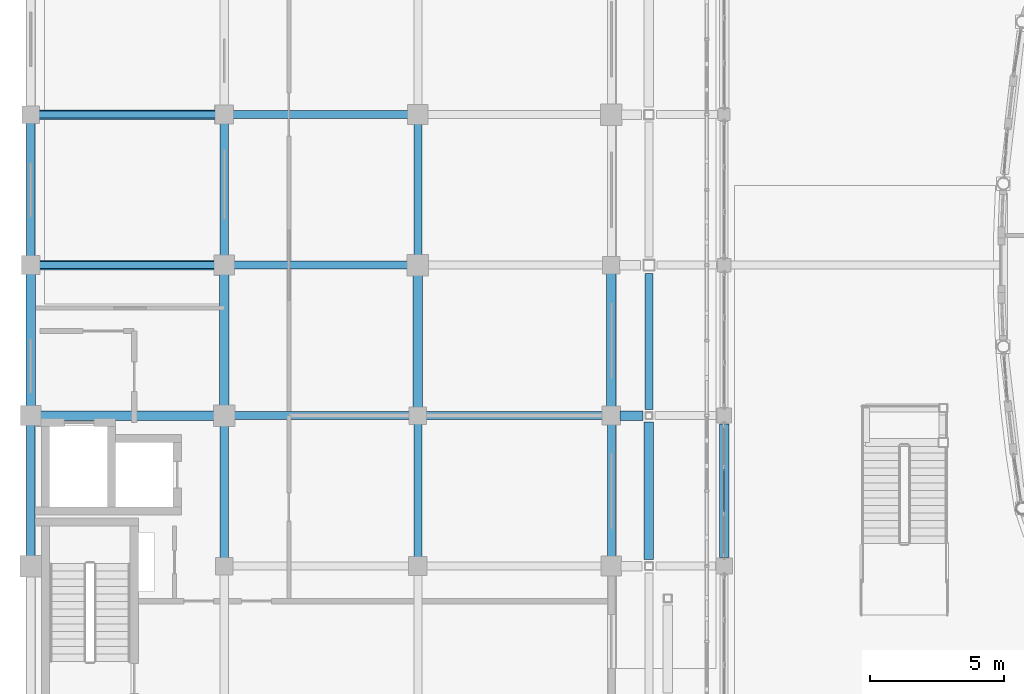
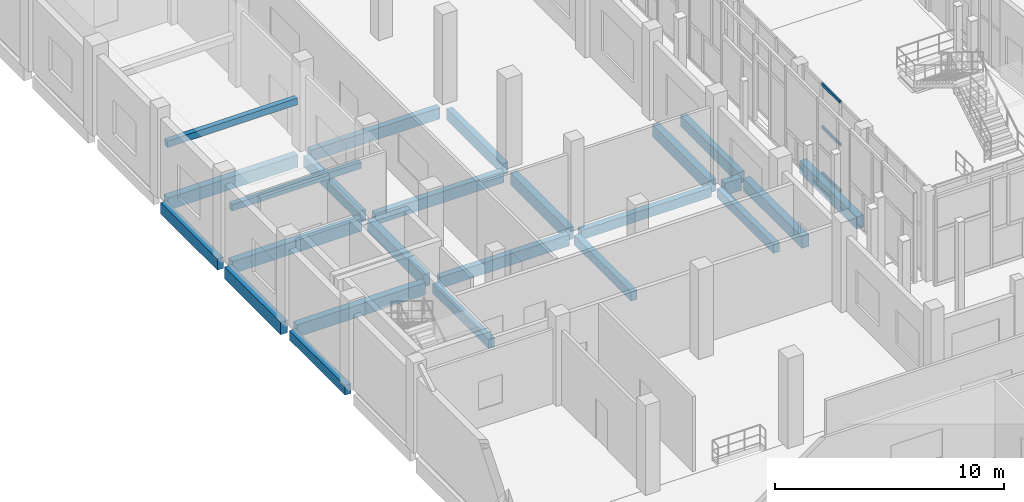
# One storey, part 32 of 91: 24 beams, 3 members, 1 element without a shape of its own.
"""IFC4 building model written with IfcOpenShell, lengths in metres."""

import ifcopenshell
import ifcopenshell.guid

model = None  # the IFC model being written
_history = None  # IfcOwnerHistory: only IFC2X3 demands one
_inside = {}  # id of a spatial element -> (the spatial element, [elements in it])
_under = {}  # id of a project, library or spatial element -> (it, [spatial elements below it])
_declared = {}  # id of a project -> (the project, [libraries it declares])
_typed = {}  # id of a type object -> (the type object, [elements of that type])
_made_of = {}  # id of a material, layer set ... -> (it, [elements and type objects made of it])


def new_model(schema):
    """Start an empty IFC model of exactly this schema.

    Asked for "IFC4X3", IfcOpenShell would pick the latest addendum, in which some entities
    have other attributes; the version numbers below select the first issue.
    IFC2X3 requires an IfcOwnerHistory on every rooted entity: one is made here for all.
    """
    global model, _history
    if schema == "IFC4X3":
        model = ifcopenshell.file(schema_version=(4, 3, 0, 0))
    else:
        model = ifcopenshell.file(schema=schema)
    _inside.clear()
    _under.clear()
    _declared.clear()
    _typed.clear()
    _made_of.clear()
    _history = None
    if model.schema == "IFC2X3":
        org = make("IfcOrganization", Name="unknown")
        user = make(
            "IfcPersonAndOrganization",
            ThePerson=make("IfcPerson", FamilyName="unknown"),
            TheOrganization=org,
        )
        app = make(
            "IfcApplication",
            ApplicationDeveloper=org,
            Version="unknown",
            ApplicationFullName="unknown",
            ApplicationIdentifier="unknown",
        )
        _history = make(
            "IfcOwnerHistory",
            OwningUser=user,
            OwningApplication=app,
            ChangeAction="ADDED",
            CreationDate=0,
        )
    return model


def make(cls, **values):
    """One entity of the class cls with the attributes given. An attribute that is None is left unset."""
    return model.create_entity(
        cls, **{name: value for name, value in values.items() if value is not None}
    )


def rooted(cls, **values):
    """An entity with a GlobalId (a new one), such as an element, a storey or a relation."""
    return make(cls, GlobalId=ifcopenshell.guid.new(), OwnerHistory=_history, **values)


def si_unit(unit_type, name, prefix=None):
    """IfcSIUnit, for example si_unit("LENGTHUNIT", "METRE", prefix="MILLI")."""
    return make("IfcSIUnit", UnitType=unit_type, Prefix=prefix, Name=name)


def assignment(units):
    """IfcUnitAssignment: the units of a project."""
    return None if units is None else make("IfcUnitAssignment", Units=units)


def point(xyz):
    """IfcCartesianPoint."""
    return None if xyz is None else make("IfcCartesianPoint", Coordinates=xyz)


def direction(xyz):
    """IfcDirection."""
    return None if xyz is None else make("IfcDirection", DirectionRatios=xyz)


def frame(location, z_axis=None, x_axis=None):
    """IfcAxis2Placement3D, a coordinate frame: its origin and axes. An axis left out is left unset."""
    return make(
        "IfcAxis2Placement3D",
        Location=point(location),
        Axis=direction(z_axis),
        RefDirection=direction(x_axis),
    )


def frame_2d(location, x_axis=None):
    """IfcAxis2Placement2D, a coordinate frame in the plane: its origin and x axis."""
    return make(
        "IfcAxis2Placement2D", Location=point(location), RefDirection=direction(x_axis)
    )


def origin():
    """The frame at (0, 0, 0) with its axes left unset."""
    return frame((0.0, 0.0, 0.0))


def origin_2d():
    """The frame at (0, 0) in the plane with its x axis left unset."""
    return frame_2d((0.0, 0.0))


def place(relative_to, where):
    """IfcLocalPlacement: puts the frame where relative to a parent placement (None: the world)."""
    return make(
        "IfcLocalPlacement", PlacementRelTo=relative_to, RelativePlacement=where
    )


def context(
    kind, dimensions, precision=None, world=None, true_north=None, identifier=None
):
    """IfcGeometricRepresentationContext, for example the 3D "Model" context."""
    return make(
        "IfcGeometricRepresentationContext",
        ContextIdentifier=identifier,
        ContextType=kind,
        CoordinateSpaceDimension=dimensions,
        Precision=precision,
        WorldCoordinateSystem=world,
        TrueNorth=true_north,
    )


def subcontext(parent, identifier, kind, view, scale=None):
    """IfcGeometricRepresentationSubContext, for example "Body" below "Model"."""
    return make(
        "IfcGeometricRepresentationSubContext",
        ContextIdentifier=identifier,
        ContextType=kind,
        ParentContext=parent,
        TargetScale=scale,
        TargetView=view,
    )


def project(units=None, contexts=None):
    """IfcProject with its units and contexts."""
    return rooted(
        "IfcProject",
        Name="project",
        RepresentationContexts=contexts,
        UnitsInContext=assignment(units),
    )


def spatial(cls, under=None, at=None, **own):
    """A site, building, storey or space (cls), placed at a placement, below another one or the project."""
    s = rooted(cls, ObjectPlacement=at, **own)
    if under is not None:
        _under.setdefault(under.id(), (under, []))[1].append(s)
    return s


def profile(cls, at=None, kind="AREA", **sizes):
    """A parametric profile (cls). Its sizes go by their IFC names, for example OverallWidth=200.0."""
    return make(cls, ProfileType=kind, Position=at, **sizes)


def rectangle(**sizes):
    """IfcRectangleProfileDef."""
    return profile("IfcRectangleProfileDef", **sizes)


def hollow_rectangle(**sizes):
    """IfcRectangleHollowProfileDef."""
    return profile("IfcRectangleHollowProfileDef", **sizes)


def extrude(swept, where, along, depth):
    """IfcExtrudedAreaSolid: the profile swept, set in the frame where, extruded along a direction by depth."""
    return make(
        "IfcExtrudedAreaSolid",
        SweptArea=swept,
        Position=where,
        ExtrudedDirection=direction(along),
        Depth=depth,
    )


def shape(context_of_items, identifier, shape_type, items):
    """IfcShapeRepresentation: the items that make up one representation, for example the "Body"."""
    return make(
        "IfcShapeRepresentation",
        ContextOfItems=context_of_items,
        RepresentationIdentifier=identifier,
        RepresentationType=shape_type,
        Items=items,
    )


def material(Name=None, Category=None):
    """IfcMaterial."""
    return make("IfcMaterial", Name=Name, Category=Category)


def layer(
    of_material, thickness, ventilated=None, Name=None, Category=None, Priority=None
):
    """IfcMaterialLayer: one layer of a wall or slab, of a material (None: an air gap)."""
    return make(
        "IfcMaterialLayer",
        Material=of_material,
        LayerThickness=thickness,
        IsVentilated=ventilated,
        Name=Name,
        Category=Category,
        Priority=Priority,
    )


def layer_set(layers, Name=None):
    """IfcMaterialLayerSet."""
    return make("IfcMaterialLayerSet", MaterialLayers=layers, LayerSetName=Name)


def material_profile(
    of_material, cross_section, Name=None, Category=None, Priority=None
):
    """IfcMaterialProfile: a cross section and its material."""
    return make(
        "IfcMaterialProfile",
        Name=Name,
        Material=of_material,
        Profile=cross_section,
        Priority=Priority,
        Category=Category,
    )


def profile_set(profiles, Name=None, composite=None):
    """IfcMaterialProfileSet."""
    return make(
        "IfcMaterialProfileSet",
        Name=Name,
        MaterialProfiles=profiles,
        CompositeProfile=composite,
    )


def made_of(thing, what):
    """Note that an element or type object is made of a material, layer set ...; save() writes the relation."""
    if what is not None:
        _made_of.setdefault(what.id(), (what, []))[1].append(thing)
    return thing


def type_object(cls, material=None, **own):
    """A type object (cls), such as IfcWallType, which elements share."""
    return made_of(rooted(cls, **own), material)


def element(
    cls,
    number,
    at=None,
    inside=None,
    cuts=None,
    type_object=None,
    material=None,
    context=None,
    identifier="Body",
    shape_type=None,
    held_by="IfcProductDefinitionShape",
    body=None,
    shapes=None,
    **own,
):
    """One element of the class cls, such as IfcWall. Its Tag is "e" and its number.

    at: its placement. inside: the storey or other place that contains it. cuts: it is an
    opening in that element (IfcRelVoidsElement). A single representation is given by context,
    identifier, shape_type and body (its items); several are given by shapes. held_by: the class
    of the entity that holds the representations. save() writes the other relations.
    """
    e = rooted(cls, Tag="e%d" % number, ObjectPlacement=at, **own)
    if body is not None:
        shapes = [shape(context, identifier, shape_type, body)]
    if shapes is not None:
        e.Representation = make(held_by, Representations=shapes)
    if inside is not None:
        _inside.setdefault(inside.id(), (inside, []))[1].append(e)
    if cuts is not None:
        rooted(
            "IfcRelVoidsElement", RelatingBuildingElement=cuts, RelatedOpeningElement=e
        )
    if type_object is not None:
        _typed.setdefault(type_object.id(), (type_object, []))[1].append(e)
    return made_of(e, material)


def aggregate(whole, parts):
    """IfcRelAggregates: a whole, such as a stair, and the parts it consists of."""
    return rooted("IfcRelAggregates", RelatingObject=whole, RelatedObjects=parts)


def save(model, path):
    """Write the relations noted so far, then the file.

    IfcRelAggregates (storeys below a building ...), IfcRelContainedInSpatialStructure (elements
    in a storey), IfcRelDefinesByType, IfcRelAssociatesMaterial and IfcRelDeclares: one each for
    every whole, place, type object, material and project.
    """
    for whole, parts in _under.values():
        aggregate(whole, parts)
    for where, things in _inside.values():
        rooted(
            "IfcRelContainedInSpatialStructure",
            RelatedElements=things,
            RelatingStructure=where,
        )
    for kind, things in _typed.values():
        rooted("IfcRelDefinesByType", RelatedObjects=things, RelatingType=kind)
    for what, things in _made_of.values():
        rooted("IfcRelAssociatesMaterial", RelatedObjects=things, RelatingMaterial=what)
    for by, libraries in _declared.values():
        rooted("IfcRelDeclares", RelatingContext=by, RelatedDefinitions=libraries)
    model.write(path)


model = new_model("IFC4")

# Units and contexts
model_context = context("Model", 3, precision=1e-05, world=origin(), true_north=direction((0.0, 1.0)))
body_context = subcontext(model_context, "Body", "Model", "MODEL_VIEW")
ifc_project = project(units=[si_unit("LENGTHUNIT", "METRE"), si_unit("AREAUNIT", "SQUARE_METRE"), si_unit("VOLUMEUNIT", "CUBIC_METRE"), si_unit("PLANEANGLEUNIT", "RADIAN"), si_unit("MASSUNIT", "GRAM", prefix="KILO")], contexts=[model_context])

# Site, building, storey
site_placement = place(None, origin())
site = spatial("IfcSite", under=ifc_project, at=site_placement, CompositionType="ELEMENT")
building_placement = place(site_placement, origin())
building = spatial("IfcBuilding", under=site, at=building_placement, Name="Vinh Khe Railworks Police Headquarters", CompositionType="ELEMENT")
storey_placement = place(building_placement, origin())
storey = spatial("IfcBuildingStorey", under=building, at=storey_placement, Name="L00", CompositionType="ELEMENT", Elevation=0.0)

# Beams
ifc_material_1 = material(Name="Concrete C35/45 (B35)", Category="concrete")
ifc_material_profile_1 = material_profile(ifc_material_1, rectangle(XDim=0.300048828125, YDim=0.5, at=origin_2d()), Name="RC 300x500")
ifc_profile_set_1 = profile_set([ifc_material_profile_1], Name="Concrete C35/45 (B35)")
beam_type_1 = type_object("IfcBeamType", Name="RC Girder RC 300x500", PredefinedType="BEAM", material=ifc_profile_set_1)
beam_1_placement = place(storey_placement, frame((15.304931640625, 36.39990234375, -0.530029296875), z_axis=(1.0, 0.0, 0.0), x_axis=(0.0, 1.0, 0.0)))
element("IfcBeam", 1, at=beam_1_placement, inside=storey, type_object=beam_type_1, Name="Girder BM-L00-EW-RB-10-0051", PredefinedType="BEAM", context=body_context, shape_type="SweptSolid", body=[
    extrude(rectangle(XDim=0.300048828125, YDim=0.5, at=origin_2d()), origin(), (0.0, 0.0, 1.0), 6.565185546875),
])
beam_2_placement = place(storey_placement, frame((0.60009765625, 31.179931640625, -0.530029296875), z_axis=(0.0, 1.0, 0.0), x_axis=(-1.0, 0.0, 0.0)))
element("IfcBeam", 2, at=beam_2_placement, inside=storey, type_object=beam_type_1, Name="Girder BM-L00-NS-RB-10-0195", PredefinedType="BEAM", context=body_context, shape_type="SweptSolid", body=[
    extrude(rectangle(XDim=0.300048828125, YDim=0.5, at=origin_2d()), origin(), (0.0, 0.0, 1.0), 4.864990234375),
])
beam_3_placement = place(storey_placement, frame((7.800048828125, 31.10498046875, -0.530029296875), z_axis=(0.0, 1.0, 0.0), x_axis=(-1.0, 0.0, 0.0)))
element("IfcBeam", 3, at=beam_3_placement, inside=storey, type_object=beam_type_1, Name="Girder BM-L00-NS-RB-10-0213", PredefinedType="BEAM", context=body_context, shape_type="SweptSolid", body=[
    extrude(rectangle(XDim=0.300048828125, YDim=0.5, at=origin_2d()), origin(), (0.0, 0.0, 1.0), 4.9150390625),
])
beam_4_placement = place(storey_placement, frame((15.0, 31.1298828125, -0.530029296875), z_axis=(0.0, 1.0, 0.0), x_axis=(-1.0, 0.0, 0.0)))
element("IfcBeam", 4, at=beam_4_placement, inside=storey, type_object=beam_type_1, Name="Girder BM-L00-NS-RB-10-0231", PredefinedType="BEAM", context=body_context, shape_type="SweptSolid", body=[
    extrude(rectangle(XDim=0.300048828125, YDim=0.5, at=origin_2d()), origin(), (0.0, 0.0, 1.0), 4.965087890625),
])
beam_5_placement = place(storey_placement, frame((22.199951171875, 31.155029296875, -0.530029296875), z_axis=(0.0, 1.0, 0.0), x_axis=(-1.0, 0.0, 0.0)))
element("IfcBeam", 5, at=beam_5_placement, inside=storey, type_object=beam_type_1, Name="Girder BM-L00-NS-RB-10-0249", PredefinedType="BEAM", context=body_context, shape_type="SweptSolid", body=[
    extrude(rectangle(XDim=0.300048828125, YDim=0.5, at=origin_2d()), origin(), (0.0, 0.0, 1.0), 4.9150390625),
])
ifc_material_profile_2 = material_profile(ifc_material_1, rectangle(XDim=0.300048828125, YDim=0.60009765625, at=origin_2d()), Name="RC 300x600")
ifc_profile_set_2 = profile_set([ifc_material_profile_2], Name="Concrete C35/45 (B35)")
beam_type_2 = type_object("IfcBeamType", Name="RC Girder RC 300x600", PredefinedType="BEAM", material=ifc_profile_set_2)
beam_6_placement = place(storey_placement, frame((8.179931640625, 36.39990234375, -0.580078125), z_axis=(1.0, 0.0, 0.0), x_axis=(0.0, 1.0, 0.0)))
element("IfcBeam", 6, at=beam_6_placement, inside=storey, type_object=beam_type_2, Name="Girder BM-L00-EW-RB-09-0050", PredefinedType="BEAM", context=body_context, shape_type="SweptSolid", body=[
    extrude(rectangle(XDim=0.300048828125, YDim=0.60009765625, at=origin_2d()), origin(), (0.0, 0.0, 1.0), 6.51513671875),
])
beam_7_placement = place(storey_placement, frame((8.155029296875, 42.0, -0.580078125), z_axis=(1.0, 0.0, 0.0), x_axis=(0.0, 1.0, 0.0)))
element("IfcBeam", 7, at=beam_7_placement, inside=storey, type_object=beam_type_2, Name="Girder BM-L00-EW-RB-09-0056", PredefinedType="BEAM", context=body_context, shape_type="SweptSolid", body=[
    extrude(rectangle(XDim=0.300048828125, YDim=0.60009765625, at=origin_2d()), origin(), (0.0, 0.0, 1.0), 6.465087890625),
])
beam_8_placement = place(storey_placement, frame((8.1298828125, 47.60009765625, -0.580078125), z_axis=(1.0, 0.0, 0.0), x_axis=(0.0, 1.0, 0.0)))
element("IfcBeam", 8, at=beam_8_placement, inside=storey, type_object=beam_type_2, Name="Girder BM-L00-EW-RB-09-0062", PredefinedType="BEAM", context=body_context, shape_type="SweptSolid", body=[
    extrude(rectangle(XDim=0.300048828125, YDim=0.60009765625, at=origin_2d()), origin(), (0.0, 0.0, 1.0), 6.51513671875),
])
beam_9_placement = place(storey_placement, frame((0.60009765625, 42.330078125, -0.580078125), z_axis=(0.0, 1.0, 0.0), x_axis=(-1.0, 0.0, 0.0)))
element("IfcBeam", 9, at=beam_9_placement, inside=storey, type_object=beam_type_2, Name="Girder BM-L00-NS-RB-09-0197", PredefinedType="BEAM", context=body_context, shape_type="SweptSolid", body=[
    extrude(rectangle(XDim=0.300048828125, YDim=0.60009765625, at=origin_2d()), origin(), (0.0, 0.0, 1.0), 4.96484375),
])
beam_10_placement = place(storey_placement, frame((7.800048828125, 42.35498046875, -0.580078125), z_axis=(0.0, 1.0, 0.0), x_axis=(-1.0, 0.0, 0.0)))
element("IfcBeam", 10, at=beam_10_placement, inside=storey, type_object=beam_type_2, Name="Girder BM-L00-NS-RB-09-0215", PredefinedType="BEAM", context=body_context, shape_type="SweptSolid", body=[
    extrude(rectangle(XDim=0.300048828125, YDim=0.60009765625, at=origin_2d()), origin(), (0.0, 0.0, 1.0), 4.9150390625),
])
beam_11_placement = place(storey_placement, frame((15.0, 42.3798828125, -0.580078125), z_axis=(0.0, 1.0, 0.0), x_axis=(-1.0, 0.0, 0.0)))
element("IfcBeam", 11, at=beam_11_placement, inside=storey, type_object=beam_type_2, Name="Girder BM-L00-NS-RB-09-0233", PredefinedType="BEAM", context=body_context, shape_type="SweptSolid", body=[
    extrude(rectangle(XDim=0.300048828125, YDim=0.60009765625, at=origin_2d()), origin(), (0.0, 0.0, 1.0), 4.865234375),
])
beam_12_placement = place(storey_placement, frame((23.60009765625, 36.6298828125, -0.580078125), z_axis=(0.0, 1.0, 0.0), x_axis=(-1.0, 0.0, 0.0)))
element("IfcBeam", 12, at=beam_12_placement, inside=storey, type_object=beam_type_2, Name="Girder BM-L00-NS-RB-09-0266", PredefinedType="BEAM", context=body_context, shape_type="SweptSolid", body=[
    extrude(rectangle(XDim=0.300048828125, YDim=0.60009765625, at=origin_2d()), origin(), (0.0, 0.0, 1.0), 5.065185546875),
])
ifc_material_profile_3 = material_profile(ifc_material_1, rectangle(XDim=0.35009765625, YDim=0.64990234375, at=origin_2d()), Name="RC 350x650")
ifc_profile_set_3 = profile_set([ifc_material_profile_3], Name="Concrete C35/45 (B35)")
beam_type_3 = type_object("IfcBeamType", Name="RC Girder RC 350x650", PredefinedType="BEAM", material=ifc_profile_set_3)
beam_13_placement = place(storey_placement, frame((0.955078125, 36.39990234375, -0.60498046875), z_axis=(1.0, 0.0, 0.0), x_axis=(0.0, 1.0, 0.0)))
element("IfcBeam", 13, at=beam_13_placement, inside=storey, type_object=beam_type_3, Name="Girder BM-L00-EW-RB-08-0049", PredefinedType="BEAM", context=body_context, shape_type="SweptSolid", body=[
    extrude(rectangle(XDim=0.35009765625, YDim=0.64990234375, at=origin_2d()), origin(), (0.0, 0.0, 1.0), 6.46484375),
])
beam_14_placement = place(storey_placement, frame((22.530029296875, 36.39990234375, -0.60498046875), z_axis=(1.0, 0.0, 0.0), x_axis=(0.0, 1.0, 0.0)))
element("IfcBeam", 14, at=beam_14_placement, inside=storey, type_object=beam_type_3, Name="Girder BM-L00-EW-RB-08-0052", PredefinedType="BEAM", context=body_context, shape_type="SweptSolid", body=[
    extrude(rectangle(XDim=0.35009765625, YDim=0.64990234375, at=origin_2d()), origin(), (0.0, 0.0, 1.0), 0.840087890625),
])
beam_15_placement = place(storey_placement, frame((0.929931640625, 42.0, -0.60498046875), z_axis=(1.0, 0.0, 0.0), x_axis=(0.0, 1.0, 0.0)))
element("IfcBeam", 15, at=beam_15_placement, inside=storey, type_object=beam_type_3, Name="Girder BM-L00-EW-RB-08-0055", PredefinedType="BEAM", context=body_context, shape_type="SweptSolid", body=[
    extrude(rectangle(XDim=0.35009765625, YDim=0.64990234375, at=origin_2d()), origin(), (0.0, 0.0, 1.0), 6.51513671875),
])
beam_16_placement = place(storey_placement, frame((0.905029296875, 47.60009765625, -0.60498046875), z_axis=(1.0, 0.0, 0.0), x_axis=(0.0, 1.0, 0.0)))
element("IfcBeam", 16, at=beam_16_placement, inside=storey, type_object=beam_type_3, Name="Girder BM-L00-EW-RB-08-0061", PredefinedType="BEAM", context=body_context, shape_type="SweptSolid", body=[
    extrude(rectangle(XDim=0.35009765625, YDim=0.64990234375, at=origin_2d()), origin(), (0.0, 0.0, 1.0), 6.56494140625),
])
beam_17_placement = place(storey_placement, frame((0.60009765625, 36.7548828125, -0.60498046875), z_axis=(0.0, 1.0, 0.0), x_axis=(-1.0, 0.0, 0.0)))
element("IfcBeam", 17, at=beam_17_placement, inside=storey, type_object=beam_type_3, Name="Girder BM-L00-NS-RB-08-0196", PredefinedType="BEAM", context=body_context, shape_type="SweptSolid", body=[
    extrude(rectangle(XDim=0.35009765625, YDim=0.64990234375, at=origin_2d()), origin(), (0.0, 0.0, 1.0), 4.9150390625),
])
beam_18_placement = place(storey_placement, frame((7.800048828125, 36.780029296875, -0.60498046875), z_axis=(0.0, 1.0, 0.0), x_axis=(-1.0, 0.0, 0.0)))
element("IfcBeam", 18, at=beam_18_placement, inside=storey, type_object=beam_type_3, Name="Girder BM-L00-NS-RB-08-0214", PredefinedType="BEAM", context=body_context, shape_type="SweptSolid", body=[
    extrude(rectangle(XDim=0.35009765625, YDim=0.64990234375, at=origin_2d()), origin(), (0.0, 0.0, 1.0), 4.864990234375),
])
beam_19_placement = place(storey_placement, frame((15.0, 36.705078125, -0.60498046875), z_axis=(0.0, 1.0, 0.0), x_axis=(-1.0, 0.0, 0.0)))
element("IfcBeam", 19, at=beam_19_placement, inside=storey, type_object=beam_type_3, Name="Girder BM-L00-NS-RB-08-0232", PredefinedType="BEAM", context=body_context, shape_type="SweptSolid", body=[
    extrude(rectangle(XDim=0.35009765625, YDim=0.64990234375, at=origin_2d()), origin(), (0.0, 0.0, 1.0), 4.9150390625),
])
beam_20_placement = place(storey_placement, frame((22.199951171875, 36.72998046875, -0.60498046875), z_axis=(0.0, 1.0, 0.0), x_axis=(-1.0, 0.0, 0.0)))
element("IfcBeam", 20, at=beam_20_placement, inside=storey, type_object=beam_type_3, Name="Girder BM-L00-NS-RB-08-0250", PredefinedType="BEAM", context=body_context, shape_type="SweptSolid", body=[
    extrude(rectangle(XDim=0.35009765625, YDim=0.64990234375, at=origin_2d()), origin(), (0.0, 0.0, 1.0), 4.965087890625),
])
beam_21_placement = place(storey_placement, frame((23.60009765625, 31.054931640625, -0.60498046875), z_axis=(0.0, 1.0, 0.0), x_axis=(-1.0, 0.0, 0.0)))
element("IfcBeam", 21, at=beam_21_placement, inside=storey, type_object=beam_type_3, Name="Girder BM-L00-NS-RB-08-0265", PredefinedType="BEAM", context=body_context, shape_type="SweptSolid", body=[
    extrude(rectangle(XDim=0.35009765625, YDim=0.64990234375, at=origin_2d()), origin(), (0.0, 0.0, 1.0), 5.114990234375),
])
beam_22_placement = place(storey_placement, frame((26.39990234375, 31.1298828125, -0.60498046875), z_axis=(0.0, 1.0, 0.0), x_axis=(-1.0, 0.0, 0.0)))
element("IfcBeam", 22, at=beam_22_placement, inside=storey, type_object=beam_type_3, Name="Girder BM-L00-NS-RB-08-0277", PredefinedType="BEAM", context=body_context, shape_type="SweptSolid", body=[
    extrude(rectangle(XDim=0.35009765625, YDim=0.64990234375, at=origin_2d()), origin(), (0.0, 0.0, 1.0), 4.965087890625),
])
ifc_material_profile_4 = material_profile(ifc_material_1, rectangle(XDim=0.25, YDim=0.35009765625, at=origin_2d()), Name="RC 250x350")
ifc_profile_set_4 = profile_set([ifc_material_profile_4], Name="Concrete C35/45 (B35)")
beam_type_4 = type_object("IfcBeamType", Name="RC Lintel Beam RC 250x350", PredefinedType="LINTEL", material=ifc_profile_set_4)
beam_23_placement = place(storey_placement, frame((0.929931640625, 42.0, 2.550048828125), z_axis=(1.0, 0.0, 0.0), x_axis=(0.0, 1.0, 0.0)))
element("IfcBeam", 23, at=beam_23_placement, inside=storey, type_object=beam_type_4, Name="RC Portal Lintel 01", PredefinedType="LINTEL", context=body_context, shape_type="SweptSolid", body=[
    extrude(rectangle(XDim=0.25, YDim=0.35009765625, at=origin_2d()), origin(), (0.0, 0.0, 1.0), 6.51513671875),
])
beam_24_placement = place(storey_placement, frame((0.905029296875, 47.60009765625, 2.550048828125), z_axis=(1.0, 0.0, 0.0), x_axis=(0.0, 1.0, 0.0)))
element("IfcBeam", 24, at=beam_24_placement, inside=storey, type_object=beam_type_4, Name="RC Portal Lintel 02", PredefinedType="LINTEL", context=body_context, shape_type="SweptSolid", body=[
    extrude(rectangle(XDim=0.25, YDim=0.35009765625, at=origin_2d()), origin(), (0.0, 0.0, 1.0), 6.56494140625),
])

# Curtain wall, members
ifc_material_2 = material(Name="Anodised aluminium and low-iron glass", Category="aluminium")
ifc_layer = layer(ifc_material_2, 0.179931640625)
ifc_layer_set = layer_set([ifc_layer], Name="Anodised aluminium and low-iron glass")
curtain_wall_type = type_object("IfcCurtainWallType", Name="CW-CUBE-UNIT", PredefinedType="USERDEFINED", material=ifc_layer_set)
curtain_wall_placement = place(storey_placement, origin())
curtain_wall = element("IfcCurtainWall", 25, at=curtain_wall_placement, inside=storey, type_object=curtain_wall_type, Name="Entrance Hall Curtain Wall L00 W-2", ObjectType="UNITISED GLAZING", PredefinedType="USERDEFINED")
ifc_material_3 = material(Name="Anodised aluminium 6063-T6", Category="aluminium")
ifc_material_profile_5 = material_profile(ifc_material_3, hollow_rectangle(XDim=0.070068359375, YDim=0.14990234375, WallThickness=0.0048828125, at=origin_2d()), Name="CW-T 70x150x5")
ifc_profile_set_5 = profile_set([ifc_material_profile_5], Name="Anodised aluminium 6063-T6")
member_type = type_object("IfcMemberType", Name="TRAN-CWT-03", PredefinedType="USERDEFINED", material=ifc_profile_set_5)
member_1_placement = place(storey_placement, frame((26.39990234375, 32.816650390625, 0.034912109375), z_axis=(0.0, 1.0, 0.0), x_axis=(-1.0, 0.0, 0.0)))
member_1 = element("IfcMember", 26, at=member_1_placement, type_object=member_type, Name="CW-01 transom 2.1", ObjectType="TRANSOM", PredefinedType="USERDEFINED", context=body_context, shape_type="SweptSolid", body=[
    extrude(hollow_rectangle(XDim=0.070068359375, YDim=0.14990234375, WallThickness=0.0048828125, at=origin_2d()), origin(), (0.0, 0.0, 1.0), 1.591796875),
])
member_2_placement = place(storey_placement, frame((26.39990234375, 32.816650390625, 2.49609375), z_axis=(0.0, 1.0, 0.0), x_axis=(-1.0, 0.0, 0.0)))
member_2 = element("IfcMember", 27, at=member_2_placement, type_object=member_type, Name="CW-01 transom 2.2", ObjectType="TRANSOM", PredefinedType="USERDEFINED", context=body_context, shape_type="SweptSolid", body=[
    extrude(hollow_rectangle(XDim=0.070068359375, YDim=0.14990234375, WallThickness=0.0048828125, at=origin_2d()), origin(), (0.0, 0.0, 1.0), 1.591796875),
])
member_3_placement = place(storey_placement, frame((26.39990234375, 32.816650390625, 4.764892578125), z_axis=(0.0, 1.0, 0.0), x_axis=(-1.0, 0.0, 0.0)))
member_3 = element("IfcMember", 28, at=member_3_placement, type_object=member_type, Name="CW-01 transom 2.3", ObjectType="TRANSOM", PredefinedType="USERDEFINED", context=body_context, shape_type="SweptSolid", body=[
    extrude(hollow_rectangle(XDim=0.070068359375, YDim=0.14990234375, WallThickness=0.0048828125, at=origin_2d()), origin(), (0.0, 0.0, 1.0), 1.591796875),
])
aggregate(curtain_wall, [member_1, member_2, member_3])

save(model, "model.ifc")
